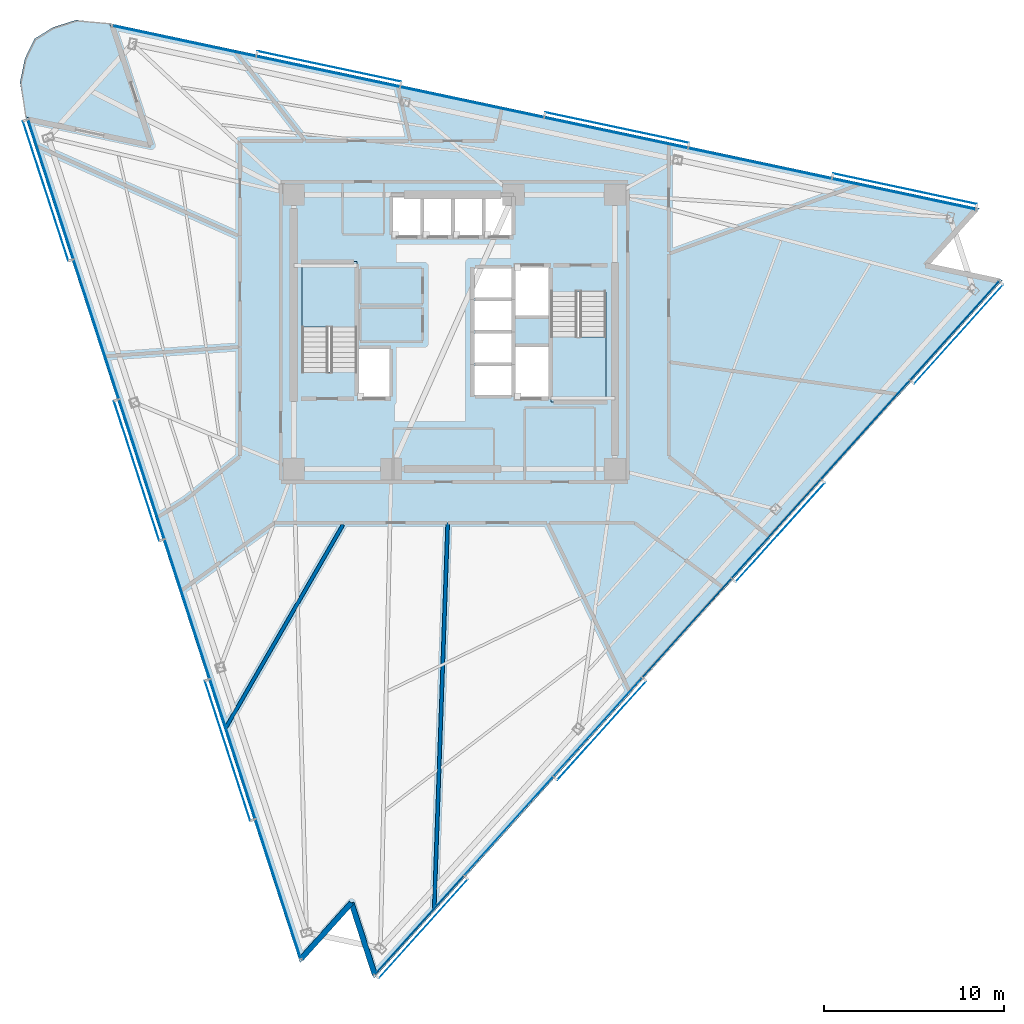
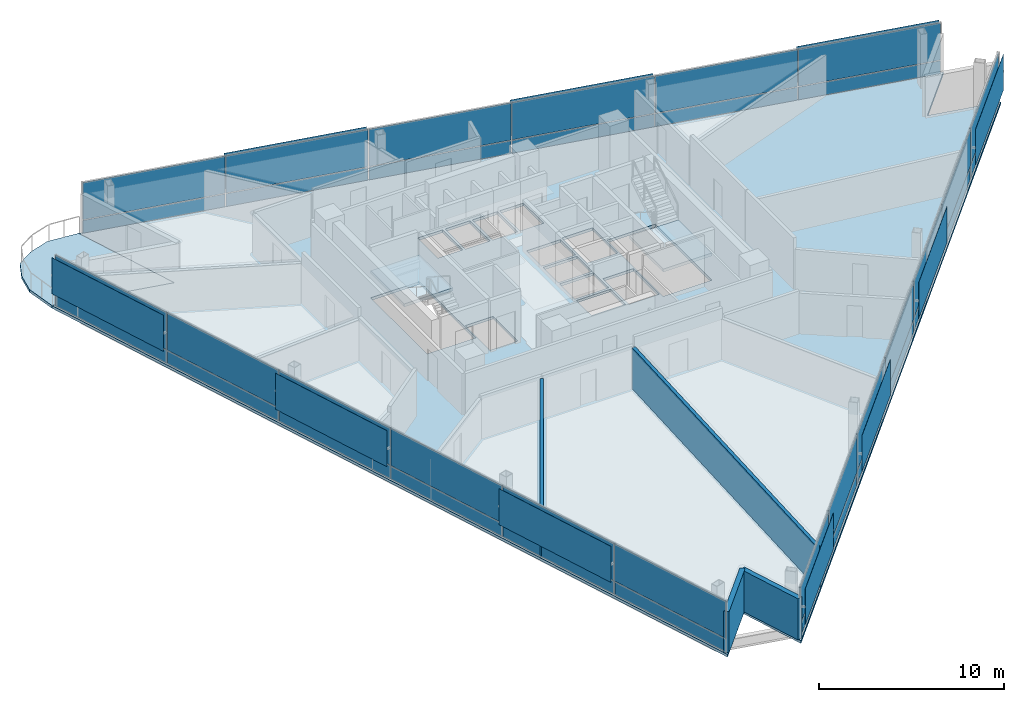
# One storey, part 9 of 17: 48 plates, 4 slabs, 4 walls, 5 elements without a shape of their own.
"""IFC4 building model written with IfcOpenShell, lengths in metres."""

import ifcopenshell
import ifcopenshell.guid

model = None  # the IFC model being written
_history = None  # IfcOwnerHistory: only IFC2X3 demands one
_inside = {}  # id of a spatial element -> (the spatial element, [elements in it])
_under = {}  # id of a project, library or spatial element -> (it, [spatial elements below it])
_declared = {}  # id of a project -> (the project, [libraries it declares])
_typed = {}  # id of a type object -> (the type object, [elements of that type])
_made_of = {}  # id of a material, layer set ... -> (it, [elements and type objects made of it])


def new_model(schema):
    """Start an empty IFC model of exactly this schema.

    Asked for "IFC4X3", IfcOpenShell would pick the latest addendum, in which some entities
    have other attributes; the version numbers below select the first issue.
    IFC2X3 requires an IfcOwnerHistory on every rooted entity: one is made here for all.
    """
    global model, _history
    if schema == "IFC4X3":
        model = ifcopenshell.file(schema_version=(4, 3, 0, 0))
    else:
        model = ifcopenshell.file(schema=schema)
    _inside.clear()
    _under.clear()
    _declared.clear()
    _typed.clear()
    _made_of.clear()
    _history = None
    if model.schema == "IFC2X3":
        org = make("IfcOrganization", Name="unknown")
        user = make(
            "IfcPersonAndOrganization",
            ThePerson=make("IfcPerson", FamilyName="unknown"),
            TheOrganization=org,
        )
        app = make(
            "IfcApplication",
            ApplicationDeveloper=org,
            Version="unknown",
            ApplicationFullName="unknown",
            ApplicationIdentifier="unknown",
        )
        _history = make(
            "IfcOwnerHistory",
            OwningUser=user,
            OwningApplication=app,
            ChangeAction="ADDED",
            CreationDate=0,
        )
    return model


def make(cls, **values):
    """One entity of the class cls with the attributes given. An attribute that is None is left unset."""
    return model.create_entity(
        cls, **{name: value for name, value in values.items() if value is not None}
    )


def rooted(cls, **values):
    """An entity with a GlobalId (a new one), such as an element, a storey or a relation."""
    return make(cls, GlobalId=ifcopenshell.guid.new(), OwnerHistory=_history, **values)


def si_unit(unit_type, name, prefix=None):
    """IfcSIUnit, for example si_unit("LENGTHUNIT", "METRE", prefix="MILLI")."""
    return make("IfcSIUnit", UnitType=unit_type, Prefix=prefix, Name=name)


def assignment(units):
    """IfcUnitAssignment: the units of a project."""
    return None if units is None else make("IfcUnitAssignment", Units=units)


def point(xyz):
    """IfcCartesianPoint."""
    return None if xyz is None else make("IfcCartesianPoint", Coordinates=xyz)


def direction(xyz):
    """IfcDirection."""
    return None if xyz is None else make("IfcDirection", DirectionRatios=xyz)


def frame(location, z_axis=None, x_axis=None):
    """IfcAxis2Placement3D, a coordinate frame: its origin and axes. An axis left out is left unset."""
    return make(
        "IfcAxis2Placement3D",
        Location=point(location),
        Axis=direction(z_axis),
        RefDirection=direction(x_axis),
    )


def frame_2d(location, x_axis=None):
    """IfcAxis2Placement2D, a coordinate frame in the plane: its origin and x axis."""
    return make(
        "IfcAxis2Placement2D", Location=point(location), RefDirection=direction(x_axis)
    )


def origin():
    """The frame at (0, 0, 0) with its axes left unset."""
    return frame((0.0, 0.0, 0.0))


def origin_2d():
    """The frame at (0, 0) in the plane with its x axis left unset."""
    return frame_2d((0.0, 0.0))


def place(relative_to, where):
    """IfcLocalPlacement: puts the frame where relative to a parent placement (None: the world)."""
    return make(
        "IfcLocalPlacement", PlacementRelTo=relative_to, RelativePlacement=where
    )


def context(
    kind, dimensions, precision=None, world=None, true_north=None, identifier=None
):
    """IfcGeometricRepresentationContext, for example the 3D "Model" context."""
    return make(
        "IfcGeometricRepresentationContext",
        ContextIdentifier=identifier,
        ContextType=kind,
        CoordinateSpaceDimension=dimensions,
        Precision=precision,
        WorldCoordinateSystem=world,
        TrueNorth=true_north,
    )


def subcontext(parent, identifier, kind, view, scale=None):
    """IfcGeometricRepresentationSubContext, for example "Body" below "Model"."""
    return make(
        "IfcGeometricRepresentationSubContext",
        ContextIdentifier=identifier,
        ContextType=kind,
        ParentContext=parent,
        TargetScale=scale,
        TargetView=view,
    )


def project(units=None, contexts=None):
    """IfcProject with its units and contexts."""
    return rooted(
        "IfcProject",
        Name="project",
        RepresentationContexts=contexts,
        UnitsInContext=assignment(units),
    )


def spatial(cls, under=None, at=None, **own):
    """A site, building, storey or space (cls), placed at a placement, below another one or the project."""
    s = rooted(cls, ObjectPlacement=at, **own)
    if under is not None:
        _under.setdefault(under.id(), (under, []))[1].append(s)
    return s


def polyline(points):
    """IfcPolyline through the points."""
    return make("IfcPolyline", Points=[point(p) for p in points])


def profile(cls, at=None, kind="AREA", **sizes):
    """A parametric profile (cls). Its sizes go by their IFC names, for example OverallWidth=200.0."""
    return make(cls, ProfileType=kind, Position=at, **sizes)


def rectangle(**sizes):
    """IfcRectangleProfileDef."""
    return profile("IfcRectangleProfileDef", **sizes)


def outline(outer, holes=None, kind="AREA"):
    """IfcArbitraryClosedProfileDef: a profile drawn as a closed curve; with holes, ...WithVoids."""
    if holes is None:
        return make("IfcArbitraryClosedProfileDef", ProfileType=kind, OuterCurve=outer)
    return make(
        "IfcArbitraryProfileDefWithVoids",
        ProfileType=kind,
        OuterCurve=outer,
        InnerCurves=holes,
    )


def extrude(swept, where, along, depth):
    """IfcExtrudedAreaSolid: the profile swept, set in the frame where, extruded along a direction by depth."""
    return make(
        "IfcExtrudedAreaSolid",
        SweptArea=swept,
        Position=where,
        ExtrudedDirection=direction(along),
        Depth=depth,
    )


def shape(context_of_items, identifier, shape_type, items):
    """IfcShapeRepresentation: the items that make up one representation, for example the "Body"."""
    return make(
        "IfcShapeRepresentation",
        ContextOfItems=context_of_items,
        RepresentationIdentifier=identifier,
        RepresentationType=shape_type,
        Items=items,
    )


def material(Name=None, Category=None):
    """IfcMaterial."""
    return make("IfcMaterial", Name=Name, Category=Category)


def layer(
    of_material, thickness, ventilated=None, Name=None, Category=None, Priority=None
):
    """IfcMaterialLayer: one layer of a wall or slab, of a material (None: an air gap)."""
    return make(
        "IfcMaterialLayer",
        Material=of_material,
        LayerThickness=thickness,
        IsVentilated=ventilated,
        Name=Name,
        Category=Category,
        Priority=Priority,
    )


def layer_set(layers, Name=None):
    """IfcMaterialLayerSet."""
    return make("IfcMaterialLayerSet", MaterialLayers=layers, LayerSetName=Name)


def made_of(thing, what):
    """Note that an element or type object is made of a material, layer set ...; save() writes the relation."""
    if what is not None:
        _made_of.setdefault(what.id(), (what, []))[1].append(thing)
    return thing


def type_object(cls, material=None, **own):
    """A type object (cls), such as IfcWallType, which elements share."""
    return made_of(rooted(cls, **own), material)


def element(
    cls,
    number,
    at=None,
    inside=None,
    cuts=None,
    type_object=None,
    material=None,
    context=None,
    identifier="Body",
    shape_type=None,
    held_by="IfcProductDefinitionShape",
    body=None,
    shapes=None,
    **own,
):
    """One element of the class cls, such as IfcWall. Its Tag is "e" and its number.

    at: its placement. inside: the storey or other place that contains it. cuts: it is an
    opening in that element (IfcRelVoidsElement). A single representation is given by context,
    identifier, shape_type and body (its items); several are given by shapes. held_by: the class
    of the entity that holds the representations. save() writes the other relations.
    """
    e = rooted(cls, Tag="e%d" % number, ObjectPlacement=at, **own)
    if body is not None:
        shapes = [shape(context, identifier, shape_type, body)]
    if shapes is not None:
        e.Representation = make(held_by, Representations=shapes)
    if inside is not None:
        _inside.setdefault(inside.id(), (inside, []))[1].append(e)
    if cuts is not None:
        rooted(
            "IfcRelVoidsElement", RelatingBuildingElement=cuts, RelatedOpeningElement=e
        )
    if type_object is not None:
        _typed.setdefault(type_object.id(), (type_object, []))[1].append(e)
    return made_of(e, material)


def aggregate(whole, parts):
    """IfcRelAggregates: a whole, such as a stair, and the parts it consists of."""
    return rooted("IfcRelAggregates", RelatingObject=whole, RelatedObjects=parts)


def save(model, path):
    """Write the relations noted so far, then the file.

    IfcRelAggregates (storeys below a building ...), IfcRelContainedInSpatialStructure (elements
    in a storey), IfcRelDefinesByType, IfcRelAssociatesMaterial and IfcRelDeclares: one each for
    every whole, place, type object, material and project.
    """
    for whole, parts in _under.values():
        aggregate(whole, parts)
    for where, things in _inside.values():
        rooted(
            "IfcRelContainedInSpatialStructure",
            RelatedElements=things,
            RelatingStructure=where,
        )
    for kind, things in _typed.values():
        rooted("IfcRelDefinesByType", RelatedObjects=things, RelatingType=kind)
    for what, things in _made_of.values():
        rooted("IfcRelAssociatesMaterial", RelatedObjects=things, RelatingMaterial=what)
    for by, libraries in _declared.values():
        rooted("IfcRelDeclares", RelatingContext=by, RelatedDefinitions=libraries)
    model.write(path)


model = new_model("IFC4")

# Units and contexts
model_context = context("Model", 3, precision=1e-05, world=origin(), true_north=direction((0.0, 1.0)))
body_context = subcontext(model_context, "Body", "Model", "MODEL_VIEW")
ifc_project = project(units=[si_unit("LENGTHUNIT", "METRE"), si_unit("AREAUNIT", "SQUARE_METRE"), si_unit("VOLUMEUNIT", "CUBIC_METRE"), si_unit("PLANEANGLEUNIT", "RADIAN"), si_unit("MASSUNIT", "GRAM", prefix="KILO")], contexts=[model_context])

# Site, building, storey
site_placement = place(None, origin())
site = spatial("IfcSite", under=ifc_project, at=site_placement, CompositionType="ELEMENT")
building_placement = place(site_placement, origin())
building = spatial("IfcBuilding", under=site, at=building_placement, Name="Tharavind Bronze Gate", CompositionType="ELEMENT")
storey_placement = place(building_placement, frame((0.0, 0.0, 214.85009765625)))
storey = spatial("IfcBuildingStorey", under=building, at=storey_placement, Name="L55", CompositionType="ELEMENT", Elevation=214.85009765625)

# Plates
ifc_material_1 = material(Name="Perforated Bronze Alloy", Category="bronze")
ifc_layer_1 = layer(ifc_material_1, 0.011962890625)
ifc_layer_set_1 = layer_set([ifc_layer_1], Name="Perforated Bronze Alloy")
plate_type_1 = type_object("IfcPlateType", Name="BRONZE PERFORATED SOLAR SCREEN", PredefinedType="USERDEFINED", material=ifc_layer_set_1)
for number, where, z_axis, x_axis, name in (
    (1, (-22.650634765625, 7.81103515625, 0.96630859375), (0.0, 0.0, 1.0), (0.309016994375, -0.951056516295, 0.0), "CW-L55-S1 perforated bronze solar screen 1"),
    (2, (-17.610107421875, -7.701904296875, 0.96630859375), (0.0, 0.0, 1.0), (0.309016994375, -0.951056516295, 0.0), "CW-L55-S1 perforated bronze solar screen 3"),
    (3, (-12.569580078125, -23.215087890625, 0.96630859375), (0.0, 0.0, 1.0), (0.309016994375, -0.951056516295, 0.0), "CW-L55-S1 perforated bronze solar screen 5"),
):
    element("IfcPlate", number, at=place(storey_placement, frame(where, z_axis=z_axis, x_axis=x_axis)), inside=storey, type_object=plate_type_1, Name=name, ObjectType="SCREEN", PredefinedType="USERDEFINED", context=body_context, shape_type="SweptSolid", body=[
        extrude(rectangle(XDim=8.1357421875, YDim=0.011962890625, at=origin_2d()), origin(), (0.0, 0.0, 1.0), 2.386962890625),
    ])
for number, where, z_axis, x_axis, name in (
    (4, (-1.720703125, -33.081298828125, 0.96630859375), (0.0, 0.0, 1.0), (0.669130606359, 0.743144825477, 0.0), "CW-L55-S2 perforated bronze solar screen 1"),
    (5, (8.168212890625, -22.098388671875, 0.96630859375), (0.0, 0.0, 1.0), (0.669130606359, 0.743144825477, 0.0), "CW-L55-S2 perforated bronze solar screen 3"),
    (6, (18.057373046875, -11.115478515625, 0.96630859375), (0.0, 0.0, 1.0), (0.669130606359, 0.743144825477, 0.0), "CW-L55-S2 perforated bronze solar screen 5"),
    (7, (27.9462890625, -0.132568359375, 0.96630859375), (0.0, 0.0, 1.0), (0.669130606359, 0.743144825477, 0.0), "CW-L55-S2 perforated bronze solar screen 7"),
):
    element("IfcPlate", number, at=place(storey_placement, frame(where, z_axis=z_axis, x_axis=x_axis)), inside=storey, type_object=plate_type_1, Name=name, ObjectType="SCREEN", PredefinedType="USERDEFINED", context=body_context, shape_type="SweptSolid", body=[
        extrude(rectangle(XDim=7.369384765625, YDim=0.011962890625, at=origin_2d()), origin(), (0.0, 0.0, 1.0), 2.386962890625),
    ])
for number, where, z_axis, x_axis, name in (
    (8, (24.977783203125, 7.929931640625, 0.96630859375), (0.0, 0.0, 1.0), (-0.978147600734, 0.207911690818, 0.0), "CW-L55-S3 perforated bronze solar screen 1"),
    (9, (9.022705078125, 11.3212890625, 0.96630859375), (0.0, 0.0, 1.0), (-0.978147600734, 0.207911690818, 0.0), "CW-L55-S3 perforated bronze solar screen 3"),
    (10, (-6.93212890625, 14.712646484375, 0.96630859375), (0.0, 0.0, 1.0), (-0.978147600734, 0.207911690818, 0.0), "CW-L55-S3 perforated bronze solar screen 5"),
):
    element("IfcPlate", number, at=place(storey_placement, frame(where, z_axis=z_axis, x_axis=x_axis)), inside=storey, type_object=plate_type_1, Name=name, ObjectType="SCREEN", PredefinedType="USERDEFINED", context=body_context, shape_type="SweptSolid", body=[
        extrude(rectangle(XDim=8.1357421875, YDim=0.011962890625, at=origin_2d()), origin(), (0.0, 0.0, 1.0), 2.386962890625),
    ])

# Curtain wall, plates
ifc_material_2 = material(Name="Anodised Bronze Aluminium", Category="aluminium")
ifc_layer_2 = layer(ifc_material_2, 0.219970703125)
ifc_layer_set_2 = layer_set([ifc_layer_2], Name="Anodised Bronze Aluminium")
curtain_wall_type = type_object("IfcCurtainWallType", Name="UNITISED CURTAIN WALL MID OFFICE", PredefinedType="USERDEFINED", material=ifc_layer_set_2)
curtain_wall_1_placement = place(storey_placement, origin())
curtain_wall_1 = element("IfcCurtainWall", 11, at=curtain_wall_1_placement, inside=storey, type_object=curtain_wall_type, Name="L55 unitised curtain wall mid office CW-L55-S1", ObjectType="UNITISED CURTAIN WALL", PredefinedType="USERDEFINED")
ifc_material_3 = material(Name="Patinated Bronze Alloy Sheet", Category="bronze")
ifc_layer_3 = layer(ifc_material_3, 0.01611328125)
ifc_layer_set_3 = layer_set([ifc_layer_3], Name="Patinated Bronze Alloy Sheet")
plate_type_2 = type_object("IfcPlateType", Name="BRONZE SPANDREL CLADDING PANEL 16", PredefinedType="CURTAIN_PANEL", material=ifc_layer_set_3)
plate_1_placement = place(storey_placement, frame((-22.3701171875, 7.902099609375, 0.0263671875), z_axis=(0.0, 0.0, 1.0), x_axis=(0.309016994375, -0.951056516295, 0.0)))
plate_1 = element("IfcPlate", 12, at=plate_1_placement, type_object=plate_type_2, Name="CW-L55-S1 bronze spandrel panel 1", PredefinedType="CURTAIN_PANEL", context=body_context, shape_type="SweptSolid", body=[
    extrude(rectangle(XDim=8.102783203125, YDim=0.01611328125, at=origin_2d()), origin(), (0.0, 0.0, 1.0), 0.846923828125),
])
plate_2_placement = place(storey_placement, frame((-19.849853515625, 0.145751953125, 0.0263671875), z_axis=(0.0, 0.0, 1.0), x_axis=(0.309016994375, -0.951056516295, 0.0)))
plate_2 = element("IfcPlate", 13, at=plate_2_placement, type_object=plate_type_2, Name="CW-L55-S1 bronze spandrel panel 2", PredefinedType="CURTAIN_PANEL", context=body_context, shape_type="SweptSolid", body=[
    extrude(rectangle(XDim=8.102783203125, YDim=0.01611328125, at=origin_2d()), origin(), (0.0, 0.0, 1.0), 0.846923828125),
])
plate_3_placement = place(storey_placement, frame((-17.32958984375, -7.61083984375, 0.0263671875), z_axis=(0.0, 0.0, 1.0), x_axis=(0.309016994375, -0.951056516295, 0.0)))
plate_3 = element("IfcPlate", 14, at=plate_3_placement, type_object=plate_type_2, Name="CW-L55-S1 bronze spandrel panel 3", PredefinedType="CURTAIN_PANEL", context=body_context, shape_type="SweptSolid", body=[
    extrude(rectangle(XDim=8.102783203125, YDim=0.01611328125, at=origin_2d()), origin(), (0.0, 0.0, 1.0), 0.846923828125),
])
plate_4_placement = place(storey_placement, frame((-14.809326171875, -15.367431640625, 0.0263671875), z_axis=(0.0, 0.0, 1.0), x_axis=(0.309016994375, -0.951056516295, 0.0)))
plate_4 = element("IfcPlate", 15, at=plate_4_placement, type_object=plate_type_2, Name="CW-L55-S1 bronze spandrel panel 4", PredefinedType="CURTAIN_PANEL", context=body_context, shape_type="SweptSolid", body=[
    extrude(rectangle(XDim=8.102783203125, YDim=0.01611328125, at=origin_2d()), origin(), (0.0, 0.0, 1.0), 0.846923828125),
])
plate_5_placement = place(storey_placement, frame((-12.2890625, -23.123779296875, 0.0263671875), z_axis=(0.0, 0.0, 1.0), x_axis=(0.309016994375, -0.951056516295, 0.0)))
plate_5 = element("IfcPlate", 16, at=plate_5_placement, type_object=plate_type_2, Name="CW-L55-S1 bronze spandrel panel 5", PredefinedType="CURTAIN_PANEL", context=body_context, shape_type="SweptSolid", body=[
    extrude(rectangle(XDim=8.102783203125, YDim=0.01611328125, at=origin_2d()), origin(), (0.0, 0.0, 1.0), 0.846923828125),
])
plate_6_placement = place(storey_placement, frame((-9.768798828125, -30.88037109375, 0.0263671875), z_axis=(0.0, 0.0, 1.0), x_axis=(0.309016994375, -0.951056516295, 0.0)))
plate_6 = element("IfcPlate", 17, at=plate_6_placement, type_object=plate_type_2, Name="CW-L55-S1 bronze spandrel panel 6", PredefinedType="CURTAIN_PANEL", context=body_context, shape_type="SweptSolid", body=[
    extrude(rectangle(XDim=8.102783203125, YDim=0.01611328125, at=origin_2d()), origin(), (0.0, 0.0, 1.0), 0.846923828125),
])

curtain_wall_2_placement = place(storey_placement, origin())
curtain_wall_2 = element("IfcCurtainWall", 18, at=curtain_wall_2_placement, inside=storey, type_object=curtain_wall_type, Name="L55 unitised curtain wall mid office CW-L55-S2", ObjectType="UNITISED CURTAIN WALL", PredefinedType="USERDEFINED")
plate_7_placement = place(storey_placement, frame((-1.93994140625, -32.8837890625, 0.0263671875), z_axis=(0.0, 0.0, 1.0), x_axis=(0.669130606359, 0.743144825477, 0.0)))
plate_7 = element("IfcPlate", 19, at=plate_7_placement, type_object=plate_type_2, Name="CW-L55-S2 bronze spandrel panel 1", PredefinedType="CURTAIN_PANEL", context=body_context, shape_type="SweptSolid", body=[
    extrude(rectangle(XDim=7.33642578125, YDim=0.01611328125, at=origin_2d()), origin(), (0.0, 0.0, 1.0), 0.846923828125),
])
plate_8_placement = place(storey_placement, frame((3.004638671875, -27.392333984375, 0.0263671875), z_axis=(0.0, 0.0, 1.0), x_axis=(0.669130606359, 0.743144825477, 0.0)))
plate_8 = element("IfcPlate", 20, at=plate_8_placement, type_object=plate_type_2, Name="CW-L55-S2 bronze spandrel panel 2", PredefinedType="CURTAIN_PANEL", context=body_context, shape_type="SweptSolid", body=[
    extrude(rectangle(XDim=7.33642578125, YDim=0.01611328125, at=origin_2d()), origin(), (0.0, 0.0, 1.0), 0.846923828125),
])
plate_9_placement = place(storey_placement, frame((7.94921875, -21.90087890625, 0.0263671875), z_axis=(0.0, 0.0, 1.0), x_axis=(0.669130606359, 0.743144825477, 0.0)))
plate_9 = element("IfcPlate", 21, at=plate_9_placement, type_object=plate_type_2, Name="CW-L55-S2 bronze spandrel panel 3", PredefinedType="CURTAIN_PANEL", context=body_context, shape_type="SweptSolid", body=[
    extrude(rectangle(XDim=7.33642578125, YDim=0.01611328125, at=origin_2d()), origin(), (0.0, 0.0, 1.0), 0.846923828125),
])
plate_10_placement = place(storey_placement, frame((12.8935546875, -16.409423828125, 0.0263671875), z_axis=(0.0, 0.0, 1.0), x_axis=(0.669130606359, 0.743144825477, 0.0)))
plate_10 = element("IfcPlate", 22, at=plate_10_placement, type_object=plate_type_2, Name="CW-L55-S2 bronze spandrel panel 4", PredefinedType="CURTAIN_PANEL", context=body_context, shape_type="SweptSolid", body=[
    extrude(rectangle(XDim=7.33642578125, YDim=0.01611328125, at=origin_2d()), origin(), (0.0, 0.0, 1.0), 0.846923828125),
])
plate_11_placement = place(storey_placement, frame((17.838134765625, -10.91796875, 0.0263671875), z_axis=(0.0, 0.0, 1.0), x_axis=(0.669130606359, 0.743144825477, 0.0)))
plate_11 = element("IfcPlate", 23, at=plate_11_placement, type_object=plate_type_2, Name="CW-L55-S2 bronze spandrel panel 5", PredefinedType="CURTAIN_PANEL", context=body_context, shape_type="SweptSolid", body=[
    extrude(rectangle(XDim=7.33642578125, YDim=0.01611328125, at=origin_2d()), origin(), (0.0, 0.0, 1.0), 0.846923828125),
])
plate_12_placement = place(storey_placement, frame((22.78271484375, -5.426513671875, 0.0263671875), z_axis=(0.0, 0.0, 1.0), x_axis=(0.669130606359, 0.743144825477, 0.0)))
plate_12 = element("IfcPlate", 24, at=plate_12_placement, type_object=plate_type_2, Name="CW-L55-S2 bronze spandrel panel 6", PredefinedType="CURTAIN_PANEL", context=body_context, shape_type="SweptSolid", body=[
    extrude(rectangle(XDim=7.33642578125, YDim=0.01611328125, at=origin_2d()), origin(), (0.0, 0.0, 1.0), 0.846923828125),
])
plate_13_placement = place(storey_placement, frame((27.72705078125, 0.06494140625, 0.0263671875), z_axis=(0.0, 0.0, 1.0), x_axis=(0.669130606359, 0.743144825477, 0.0)))
plate_13 = element("IfcPlate", 25, at=plate_13_placement, type_object=plate_type_2, Name="CW-L55-S2 bronze spandrel panel 7", PredefinedType="CURTAIN_PANEL", context=body_context, shape_type="SweptSolid", body=[
    extrude(rectangle(XDim=7.33642578125, YDim=0.01611328125, at=origin_2d()), origin(), (0.0, 0.0, 1.0), 0.846923828125),
])

curtain_wall_3_placement = place(storey_placement, origin())
curtain_wall_3 = element("IfcCurtainWall", 26, at=curtain_wall_3_placement, inside=storey, type_object=curtain_wall_type, Name="L55 unitised curtain wall mid office CW-L55-S3", ObjectType="UNITISED CURTAIN WALL", PredefinedType="USERDEFINED")
plate_14_placement = place(storey_placement, frame((24.91650390625, 7.641357421875, 0.0263671875), z_axis=(0.0, 0.0, 1.0), x_axis=(-0.978147600734, 0.207911690818, 0.0)))
plate_14 = element("IfcPlate", 27, at=plate_14_placement, type_object=plate_type_2, Name="CW-L55-S3 bronze spandrel panel 1", PredefinedType="CURTAIN_PANEL", context=body_context, shape_type="SweptSolid", body=[
    extrude(rectangle(XDim=8.102783203125, YDim=0.01611328125, at=origin_2d()), origin(), (0.0, 0.0, 1.0), 0.846923828125),
])
plate_15_placement = place(storey_placement, frame((16.93896484375, 9.337158203125, 0.0263671875), z_axis=(0.0, 0.0, 1.0), x_axis=(-0.978147600734, 0.207911690818, 0.0)))
plate_15 = element("IfcPlate", 28, at=plate_15_placement, type_object=plate_type_2, Name="CW-L55-S3 bronze spandrel panel 2", PredefinedType="CURTAIN_PANEL", context=body_context, shape_type="SweptSolid", body=[
    extrude(rectangle(XDim=8.102783203125, YDim=0.01611328125, at=origin_2d()), origin(), (0.0, 0.0, 1.0), 0.846923828125),
])
plate_16_placement = place(storey_placement, frame((8.96142578125, 11.03271484375, 0.0263671875), z_axis=(0.0, 0.0, 1.0), x_axis=(-0.978147600734, 0.207911690818, 0.0)))
plate_16 = element("IfcPlate", 29, at=plate_16_placement, type_object=plate_type_2, Name="CW-L55-S3 bronze spandrel panel 3", PredefinedType="CURTAIN_PANEL", context=body_context, shape_type="SweptSolid", body=[
    extrude(rectangle(XDim=8.102783203125, YDim=0.01611328125, at=origin_2d()), origin(), (0.0, 0.0, 1.0), 0.846923828125),
])
plate_17_placement = place(storey_placement, frame((0.98388671875, 12.728515625, 0.0263671875), z_axis=(0.0, 0.0, 1.0), x_axis=(-0.978147600734, 0.207911690818, 0.0)))
plate_17 = element("IfcPlate", 30, at=plate_17_placement, type_object=plate_type_2, Name="CW-L55-S3 bronze spandrel panel 4", PredefinedType="CURTAIN_PANEL", context=body_context, shape_type="SweptSolid", body=[
    extrude(rectangle(XDim=8.102783203125, YDim=0.01611328125, at=origin_2d()), origin(), (0.0, 0.0, 1.0), 0.846923828125),
])
plate_18_placement = place(storey_placement, frame((-6.993408203125, 14.424072265625, 0.0263671875), z_axis=(0.0, 0.0, 1.0), x_axis=(-0.978147600734, 0.207911690818, 0.0)))
plate_18 = element("IfcPlate", 31, at=plate_18_placement, type_object=plate_type_2, Name="CW-L55-S3 bronze spandrel panel 5", PredefinedType="CURTAIN_PANEL", context=body_context, shape_type="SweptSolid", body=[
    extrude(rectangle(XDim=8.102783203125, YDim=0.01611328125, at=origin_2d()), origin(), (0.0, 0.0, 1.0), 0.846923828125),
])
plate_19_placement = place(storey_placement, frame((-14.970947265625, 16.119873046875, 0.0263671875), z_axis=(0.0, 0.0, 1.0), x_axis=(-0.978147600734, 0.207911690818, 0.0)))
plate_19 = element("IfcPlate", 32, at=plate_19_placement, type_object=plate_type_2, Name="CW-L55-S3 bronze spandrel panel 6", PredefinedType="CURTAIN_PANEL", context=body_context, shape_type="SweptSolid", body=[
    extrude(rectangle(XDim=8.102783203125, YDim=0.01611328125, at=origin_2d()), origin(), (0.0, 0.0, 1.0), 0.846923828125),
])

# Slab
ifc_material_4 = material(Name="Concrete C40/50", Category="concrete")
ifc_layer_4 = layer(ifc_material_4, 0.179931640625)
ifc_layer_set_4 = layer_set([ifc_layer_4], Name="Concrete C40/50")
slab_type_1 = type_object("IfcSlabType", Name="EXTERIOR BALCONY SLAB 180", PredefinedType="FLOOR", material=ifc_layer_set_4)
slab_1_placement = place(storey_placement, frame((0.0, 0.0, -0.18017578125)))
element("IfcSlab", 33, at=slab_1_placement, inside=storey, type_object=slab_type_1, Name="L55 northeast tree balcony slab", PredefinedType="FLOOR", context=body_context, shape_type="SweptSolid", body=[
    extrude(outline(polyline([(-20.960693359375, 17.28564453125), (-22.246337890625, 16.877685546875), (-23.275634765625, 16.239013671875), (-23.80322265625, 15.148681640625), (-24.074462890625, 13.82763671875), (-23.77880859375, 11.914306640625), (-16.951416015625, 10.463134765625), (-19.1083984375, 17.101318359375), (-20.960693359375, 17.28564453125)])), origin(), (0.0, 0.0, 1.0), 0.18017578125),
])

# Stair, slab
stair_type = type_object("IfcStairType", Name="CORE HALF TURN STAIR 1450", PredefinedType="HALF_TURN_STAIR", material=ifc_material_4)
stair_1_placement = place(storey_placement, origin())
stair_1 = element("IfcStair", 34, at=stair_1_placement, inside=storey, type_object=stair_type, Name="L55 Protected Exit Stair ST1", PredefinedType="HALF_TURN_STAIR")
ifc_layer_5 = layer(ifc_material_4, 0.199951171875)
ifc_layer_set_5 = layer_set([ifc_layer_5], Name="Concrete C40/50")
slab_type_2 = type_object("IfcSlabType", Name="STAIR LANDING SLAB 200", PredefinedType="LANDING", material=ifc_layer_set_5)
slab_2_placement = place(storey_placement, frame((0.0, 0.0, 1.599853515625)))
slab_2 = element("IfcSlab", 35, at=slab_2_placement, type_object=slab_type_2, Name="ST1 landing 1", PredefinedType="LANDING", context=body_context, shape_type="SweptSolid", body=[
    extrude(outline(polyline([(-5.39990234375, 0.27001953125), (-5.39990234375, 3.89990234375), (-8.449951171875, 3.89990234375), (-8.449951171875, 0.27001953125), (-5.39990234375, 0.27001953125)])), origin(), (0.0, 0.0, 1.0), 0.199951171875),
])
aggregate(stair_1, [slab_2])

stair_2_placement = place(storey_placement, origin())
stair_2 = element("IfcStair", 36, at=stair_2_placement, inside=storey, type_object=stair_type, Name="L55 Protected Exit Stair ST2", PredefinedType="HALF_TURN_STAIR")
slab_3_placement = place(storey_placement, frame((0.0, 0.0, 1.599853515625)))
slab_3 = element("IfcSlab", 37, at=slab_3_placement, type_object=slab_type_2, Name="ST2 landing 1", PredefinedType="LANDING", context=body_context, shape_type="SweptSolid", body=[
    extrude(outline(polyline([(5.35009765625, -0.27001953125), (5.35009765625, -3.89990234375), (8.39990234375, -3.89990234375), (8.39990234375, -0.27001953125), (5.35009765625, -0.27001953125)])), origin(), (0.0, 0.0, 1.0), 0.199951171875),
])
aggregate(stair_2, [slab_3])

# Slab
ifc_layer_6 = layer(ifc_material_4, 0.179931640625)
ifc_layer_set_6 = layer_set([ifc_layer_6], Name="Concrete C40/50")
slab_type_3 = type_object("IfcSlabType", Name="STRUCTURAL FLOOR SLAB 180", PredefinedType="FLOOR", material=ifc_layer_set_6)
slab_4_placement = place(storey_placement, frame((0.0, 0.0, -0.18017578125)))
element("IfcSlab", 38, at=slab_4_placement, inside=storey, type_object=slab_type_3, Name="L55 main structural floor slab", PredefinedType="FLOOR", context=body_context, shape_type="SweptSolid", body=[
    extrude(outline(polyline([(-19.1083984375, 17.101318359375), (-16.951416015625, 10.463134765625), (-23.77880859375, 11.914306640625), (-8.55029296875, -34.954345703125), (-5.748046875, -31.842041015625), (-4.453857421875, -35.8251953125), (30.3896484375, 2.872314453125), (26.293212890625, 3.7431640625), (29.095458984375, 6.85546875), (-19.1083984375, 17.101318359375)]), holes=[polyline([(-5.39990234375, -2.215087890625), (-5.39990234375, 3.89990234375), (-8.449951171875, 3.89990234375), (-8.449951171875, -2.215087890625), (-5.39990234375, -2.215087890625)]), polyline([(5.35009765625, 2.215087890625), (5.35009765625, -3.89990234375), (8.39990234375, -3.89990234375), (8.39990234375, 2.215087890625), (5.35009765625, 2.215087890625)]), polyline([(-3.419921875, 5.330078125), (-1.867431640625, 5.330078125), (-1.867431640625, 7.52001953125), (-3.419921875, 7.52001953125), (-3.419921875, 5.330078125)]), polyline([(-1.70751953125, 5.330078125), (-0.155029296875, 5.330078125), (-0.155029296875, 7.52001953125), (-1.70751953125, 7.52001953125), (-1.70751953125, 5.330078125)]), polyline([(0.0048828125, 5.330078125), (1.5576171875, 5.330078125), (1.5576171875, 7.52001953125), (0.0048828125, 7.52001953125), (0.0048828125, 5.330078125)]), polyline([(1.717529296875, 5.330078125), (3.199951171875, 5.330078125), (3.199951171875, 7.52001953125), (1.717529296875, 7.52001953125), (1.717529296875, 5.330078125)]), polyline([(1.080078125, -3.52001953125), (3.199951171875, -3.52001953125), (3.199951171875, -1.8798828125), (1.080078125, -1.8798828125), (1.080078125, -3.52001953125)]), polyline([(1.080078125, -1.719970703125), (3.199951171875, -1.719970703125), (3.199951171875, -0.080078125), (1.080078125, -0.080078125), (1.080078125, -1.719970703125)]), polyline([(1.080078125, 0.080078125), (3.199951171875, 0.080078125), (3.199951171875, 1.719970703125), (1.080078125, 1.719970703125), (1.080078125, 0.080078125)]), polyline([(1.080078125, 1.8798828125), (3.199951171875, 1.8798828125), (3.199951171875, 3.52001953125), (1.080078125, 3.52001953125), (1.080078125, 1.8798828125)]), polyline([(-5.320068359375, -3.6201171875), (-3.580078125, -3.6201171875), (-3.580078125, -0.929931640625), (-5.320068359375, -0.929931640625), (-5.320068359375, -3.6201171875)]), polyline([(3.360107421875, 0.8798828125), (5.27001953125, 0.8798828125), (5.27001953125, 3.6201171875), (3.360107421875, 3.6201171875), (3.360107421875, 0.8798828125)]), polyline([(3.360107421875, -3.6201171875), (5.27001953125, -3.6201171875), (5.27001953125, -0.830078125), (3.360107421875, -0.830078125), (3.360107421875, -3.6201171875)])]), origin(), (0.0, 0.0, 1.0), 0.18017578125),
])

# Plate
ifc_material_5 = material(Name="Triple Solar Control Glazing", Category="glass")
ifc_layer_7 = layer(ifc_material_5, 0.0439453125)
ifc_layer_set_7 = layer_set([ifc_layer_7], Name="Triple Solar Control Glazing")
plate_type_3 = type_object("IfcPlateType", Name="TRIPLE GLAZED FACADE PANEL 44", PredefinedType="CURTAIN_PANEL", material=ifc_layer_set_7)
plate_20_placement = place(storey_placement, frame((-22.3701171875, 7.902099609375, 0.92626953125), z_axis=(0.0, 0.0, 1.0), x_axis=(0.309016994375, -0.951056516295, 0.0)))
plate_20 = element("IfcPlate", 39, at=plate_20_placement, type_object=plate_type_3, Name="CW-L55-S1 vision glazing panel 1", PredefinedType="CURTAIN_PANEL", context=body_context, shape_type="SweptSolid", body=[
    extrude(rectangle(XDim=8.102783203125, YDim=0.0439453125, at=origin_2d()), origin(), (0.0, 0.0, 1.0), 2.467041015625),
])

plate_21_placement = place(storey_placement, frame((-19.849853515625, 0.145751953125, 0.92626953125), z_axis=(0.0, 0.0, 1.0), x_axis=(0.309016994375, -0.951056516295, 0.0)))
plate_21 = element("IfcPlate", 40, at=plate_21_placement, type_object=plate_type_3, Name="CW-L55-S1 vision glazing panel 2", PredefinedType="CURTAIN_PANEL", context=body_context, shape_type="SweptSolid", body=[
    extrude(rectangle(XDim=8.102783203125, YDim=0.0439453125, at=origin_2d()), origin(), (0.0, 0.0, 1.0), 2.467041015625),
])

plate_22_placement = place(storey_placement, frame((-17.32958984375, -7.61083984375, 0.92626953125), z_axis=(0.0, 0.0, 1.0), x_axis=(0.309016994375, -0.951056516295, 0.0)))
plate_22 = element("IfcPlate", 41, at=plate_22_placement, type_object=plate_type_3, Name="CW-L55-S1 vision glazing panel 3", PredefinedType="CURTAIN_PANEL", context=body_context, shape_type="SweptSolid", body=[
    extrude(rectangle(XDim=8.102783203125, YDim=0.0439453125, at=origin_2d()), origin(), (0.0, 0.0, 1.0), 2.467041015625),
])

plate_23_placement = place(storey_placement, frame((-14.809326171875, -15.367431640625, 0.92626953125), z_axis=(0.0, 0.0, 1.0), x_axis=(0.309016994375, -0.951056516295, 0.0)))
plate_23 = element("IfcPlate", 42, at=plate_23_placement, type_object=plate_type_3, Name="CW-L55-S1 vision glazing panel 4", PredefinedType="CURTAIN_PANEL", context=body_context, shape_type="SweptSolid", body=[
    extrude(rectangle(XDim=8.102783203125, YDim=0.0439453125, at=origin_2d()), origin(), (0.0, 0.0, 1.0), 2.467041015625),
])

plate_24_placement = place(storey_placement, frame((-12.2890625, -23.123779296875, 0.92626953125), z_axis=(0.0, 0.0, 1.0), x_axis=(0.309016994375, -0.951056516295, 0.0)))
plate_24 = element("IfcPlate", 43, at=plate_24_placement, type_object=plate_type_3, Name="CW-L55-S1 vision glazing panel 5", PredefinedType="CURTAIN_PANEL", context=body_context, shape_type="SweptSolid", body=[
    extrude(rectangle(XDim=8.102783203125, YDim=0.0439453125, at=origin_2d()), origin(), (0.0, 0.0, 1.0), 2.467041015625),
])

plate_25_placement = place(storey_placement, frame((-9.768798828125, -30.88037109375, 0.92626953125), z_axis=(0.0, 0.0, 1.0), x_axis=(0.309016994375, -0.951056516295, 0.0)))
plate_25 = element("IfcPlate", 44, at=plate_25_placement, type_object=plate_type_3, Name="CW-L55-S1 vision glazing panel 6", PredefinedType="CURTAIN_PANEL", context=body_context, shape_type="SweptSolid", body=[
    extrude(rectangle(XDim=8.102783203125, YDim=0.0439453125, at=origin_2d()), origin(), (0.0, 0.0, 1.0), 2.467041015625),
])

aggregate(curtain_wall_1, [plate_1, plate_20, plate_2, plate_21, plate_3, plate_22, plate_4, plate_23, plate_5, plate_24, plate_6, plate_25])

plate_26_placement = place(storey_placement, frame((-1.93994140625, -32.8837890625, 0.92626953125), z_axis=(0.0, 0.0, 1.0), x_axis=(0.669130606359, 0.743144825477, 0.0)))
plate_26 = element("IfcPlate", 45, at=plate_26_placement, type_object=plate_type_3, Name="CW-L55-S2 vision glazing panel 1", PredefinedType="CURTAIN_PANEL", context=body_context, shape_type="SweptSolid", body=[
    extrude(rectangle(XDim=7.33642578125, YDim=0.0439453125, at=origin_2d()), origin(), (0.0, 0.0, 1.0), 2.467041015625),
])

plate_27_placement = place(storey_placement, frame((3.004638671875, -27.392333984375, 0.92626953125), z_axis=(0.0, 0.0, 1.0), x_axis=(0.669130606359, 0.743144825477, 0.0)))
plate_27 = element("IfcPlate", 46, at=plate_27_placement, type_object=plate_type_3, Name="CW-L55-S2 vision glazing panel 2", PredefinedType="CURTAIN_PANEL", context=body_context, shape_type="SweptSolid", body=[
    extrude(rectangle(XDim=7.33642578125, YDim=0.0439453125, at=origin_2d()), origin(), (0.0, 0.0, 1.0), 2.467041015625),
])

plate_28_placement = place(storey_placement, frame((7.94921875, -21.90087890625, 0.92626953125), z_axis=(0.0, 0.0, 1.0), x_axis=(0.669130606359, 0.743144825477, 0.0)))
plate_28 = element("IfcPlate", 47, at=plate_28_placement, type_object=plate_type_3, Name="CW-L55-S2 vision glazing panel 3", PredefinedType="CURTAIN_PANEL", context=body_context, shape_type="SweptSolid", body=[
    extrude(rectangle(XDim=7.33642578125, YDim=0.0439453125, at=origin_2d()), origin(), (0.0, 0.0, 1.0), 2.467041015625),
])

plate_29_placement = place(storey_placement, frame((12.8935546875, -16.409423828125, 0.92626953125), z_axis=(0.0, 0.0, 1.0), x_axis=(0.669130606359, 0.743144825477, 0.0)))
plate_29 = element("IfcPlate", 48, at=plate_29_placement, type_object=plate_type_3, Name="CW-L55-S2 vision glazing panel 4", PredefinedType="CURTAIN_PANEL", context=body_context, shape_type="SweptSolid", body=[
    extrude(rectangle(XDim=7.33642578125, YDim=0.0439453125, at=origin_2d()), origin(), (0.0, 0.0, 1.0), 2.467041015625),
])

plate_30_placement = place(storey_placement, frame((17.838134765625, -10.91796875, 0.92626953125), z_axis=(0.0, 0.0, 1.0), x_axis=(0.669130606359, 0.743144825477, 0.0)))
plate_30 = element("IfcPlate", 49, at=plate_30_placement, type_object=plate_type_3, Name="CW-L55-S2 vision glazing panel 5", PredefinedType="CURTAIN_PANEL", context=body_context, shape_type="SweptSolid", body=[
    extrude(rectangle(XDim=7.33642578125, YDim=0.0439453125, at=origin_2d()), origin(), (0.0, 0.0, 1.0), 2.467041015625),
])

plate_31_placement = place(storey_placement, frame((22.78271484375, -5.426513671875, 0.92626953125), z_axis=(0.0, 0.0, 1.0), x_axis=(0.669130606359, 0.743144825477, 0.0)))
plate_31 = element("IfcPlate", 50, at=plate_31_placement, type_object=plate_type_3, Name="CW-L55-S2 vision glazing panel 6", PredefinedType="CURTAIN_PANEL", context=body_context, shape_type="SweptSolid", body=[
    extrude(rectangle(XDim=7.33642578125, YDim=0.0439453125, at=origin_2d()), origin(), (0.0, 0.0, 1.0), 2.467041015625),
])

plate_32_placement = place(storey_placement, frame((27.72705078125, 0.06494140625, 0.92626953125), z_axis=(0.0, 0.0, 1.0), x_axis=(0.669130606359, 0.743144825477, 0.0)))
plate_32 = element("IfcPlate", 51, at=plate_32_placement, type_object=plate_type_3, Name="CW-L55-S2 vision glazing panel 7", PredefinedType="CURTAIN_PANEL", context=body_context, shape_type="SweptSolid", body=[
    extrude(rectangle(XDim=7.33642578125, YDim=0.0439453125, at=origin_2d()), origin(), (0.0, 0.0, 1.0), 2.467041015625),
])

aggregate(curtain_wall_2, [plate_7, plate_26, plate_8, plate_27, plate_9, plate_28, plate_10, plate_29, plate_11, plate_30, plate_12, plate_31, plate_13, plate_32])

plate_33_placement = place(storey_placement, frame((24.91650390625, 7.641357421875, 0.92626953125), z_axis=(0.0, 0.0, 1.0), x_axis=(-0.978147600734, 0.207911690818, 0.0)))
plate_33 = element("IfcPlate", 52, at=plate_33_placement, type_object=plate_type_3, Name="CW-L55-S3 vision glazing panel 1", PredefinedType="CURTAIN_PANEL", context=body_context, shape_type="SweptSolid", body=[
    extrude(rectangle(XDim=8.102783203125, YDim=0.0439453125, at=origin_2d()), origin(), (0.0, 0.0, 1.0), 2.467041015625),
])

plate_34_placement = place(storey_placement, frame((16.93896484375, 9.337158203125, 0.92626953125), z_axis=(0.0, 0.0, 1.0), x_axis=(-0.978147600734, 0.207911690818, 0.0)))
plate_34 = element("IfcPlate", 53, at=plate_34_placement, type_object=plate_type_3, Name="CW-L55-S3 vision glazing panel 2", PredefinedType="CURTAIN_PANEL", context=body_context, shape_type="SweptSolid", body=[
    extrude(rectangle(XDim=8.102783203125, YDim=0.0439453125, at=origin_2d()), origin(), (0.0, 0.0, 1.0), 2.467041015625),
])

plate_35_placement = place(storey_placement, frame((8.96142578125, 11.03271484375, 0.92626953125), z_axis=(0.0, 0.0, 1.0), x_axis=(-0.978147600734, 0.207911690818, 0.0)))
plate_35 = element("IfcPlate", 54, at=plate_35_placement, type_object=plate_type_3, Name="CW-L55-S3 vision glazing panel 3", PredefinedType="CURTAIN_PANEL", context=body_context, shape_type="SweptSolid", body=[
    extrude(rectangle(XDim=8.102783203125, YDim=0.0439453125, at=origin_2d()), origin(), (0.0, 0.0, 1.0), 2.467041015625),
])

plate_36_placement = place(storey_placement, frame((0.98388671875, 12.728515625, 0.92626953125), z_axis=(0.0, 0.0, 1.0), x_axis=(-0.978147600734, 0.207911690818, 0.0)))
plate_36 = element("IfcPlate", 55, at=plate_36_placement, type_object=plate_type_3, Name="CW-L55-S3 vision glazing panel 4", PredefinedType="CURTAIN_PANEL", context=body_context, shape_type="SweptSolid", body=[
    extrude(rectangle(XDim=8.102783203125, YDim=0.0439453125, at=origin_2d()), origin(), (0.0, 0.0, 1.0), 2.467041015625),
])

plate_37_placement = place(storey_placement, frame((-6.993408203125, 14.424072265625, 0.92626953125), z_axis=(0.0, 0.0, 1.0), x_axis=(-0.978147600734, 0.207911690818, 0.0)))
plate_37 = element("IfcPlate", 56, at=plate_37_placement, type_object=plate_type_3, Name="CW-L55-S3 vision glazing panel 5", PredefinedType="CURTAIN_PANEL", context=body_context, shape_type="SweptSolid", body=[
    extrude(rectangle(XDim=8.102783203125, YDim=0.0439453125, at=origin_2d()), origin(), (0.0, 0.0, 1.0), 2.467041015625),
])

plate_38_placement = place(storey_placement, frame((-14.970947265625, 16.119873046875, 0.92626953125), z_axis=(0.0, 0.0, 1.0), x_axis=(-0.978147600734, 0.207911690818, 0.0)))
plate_38 = element("IfcPlate", 57, at=plate_38_placement, type_object=plate_type_3, Name="CW-L55-S3 vision glazing panel 6", PredefinedType="CURTAIN_PANEL", context=body_context, shape_type="SweptSolid", body=[
    extrude(rectangle(XDim=8.102783203125, YDim=0.0439453125, at=origin_2d()), origin(), (0.0, 0.0, 1.0), 2.467041015625),
])

aggregate(curtain_wall_3, [plate_14, plate_33, plate_15, plate_34, plate_16, plate_35, plate_17, plate_36, plate_18, plate_37, plate_19, plate_38])

# Walls
ifc_layer_8 = layer(ifc_material_4, 0.300048828125)
ifc_layer_set_8 = layer_set([ifc_layer_8], Name="Concrete C40/50")
wall_type_1 = type_object("IfcWallType", Name="EXTERIOR SPANDREL WALL 300", PredefinedType="STANDARD", material=ifc_layer_set_8)
wall_1_placement = place(storey_placement, frame((-8.5087890625, -34.7587890625, 0.0), z_axis=(0.0, 0.0, 1.0), x_axis=(0.669151507466, 0.743126005504, 0.0)))
element("IfcWall", 58, at=wall_1_placement, inside=storey, type_object=wall_type_1, Name="L55 notch cheek wall 2A", PredefinedType="STANDARD", context=body_context, shape_type="SweptSolid", body=[
    extrude(rectangle(XDim=4.188232421875, YDim=0.300048828125, at=frame_2d((2.09423828125, 0.0))), origin(), (0.0, 0.0, 1.0), 2.71484375),
])
wall_2_placement = place(storey_placement, frame((-5.706298828125, -31.646484375, 0.0), z_axis=(0.0, 0.0, 1.0), x_axis=(0.309030708092, -0.951052060329, 0.0)))
element("IfcWall", 59, at=wall_2_placement, inside=storey, type_object=wall_type_1, Name="L55 notch cheek wall 2B", PredefinedType="STANDARD", context=body_context, shape_type="SweptSolid", body=[
    extrude(rectangle(XDim=4.18798828125, YDim=0.300048828125, at=frame_2d((2.093994140625, 0.0))), origin(), (0.0, 0.0, 1.0), 2.71484375),
])
ifc_material_6 = material(Name="Aerated Concrete Block", Category="concrete")
ifc_layer_9 = layer(ifc_material_6, 0.199951171875)
ifc_layer_set_9 = layer_set([ifc_layer_9], Name="Aerated Concrete Block")
wall_type_2 = type_object("IfcWallType", Name="FIRE RATED PARTITION 200", PredefinedType="PARTITIONING", material=ifc_layer_set_9)
wall_3_placement = place(storey_placement, frame((-6.1689453125, -10.68505859375, 0.0), z_axis=(0.0, 0.0, 1.0), x_axis=(-0.500003586584, -0.866023333059, 0.0)))
element("IfcWall", 60, at=wall_3_placement, inside=storey, type_object=wall_type_2, Name="L55 Climate Office G partition", PredefinedType="PARTITIONING", context=body_context, shape_type="SweptSolid", body=[
    extrude(rectangle(XDim=13.0048828125, YDim=0.199951171875, at=frame_2d((6.50244140625, 0.0))), origin(), (0.0, 0.0, 1.0), 2.71484375),
])
wall_4_placement = place(storey_placement, frame((-0.370361328125, -10.60595703125, 0.0), z_axis=(0.0, 0.0, 1.0), x_axis=(-0.034906571944, -0.999390579921, 0.0)))
element("IfcWall", 61, at=wall_4_placement, inside=storey, type_object=wall_type_2, Name="L55 Climate Policy Office partition", PredefinedType="PARTITIONING", context=body_context, shape_type="SweptSolid", body=[
    extrude(rectangle(XDim=21.366943359375, YDim=0.199951171875, at=frame_2d((10.68359375, 0.0))), origin(), (0.0, 0.0, 1.0), 2.71484375),
])

save(model, "model.ifc")
